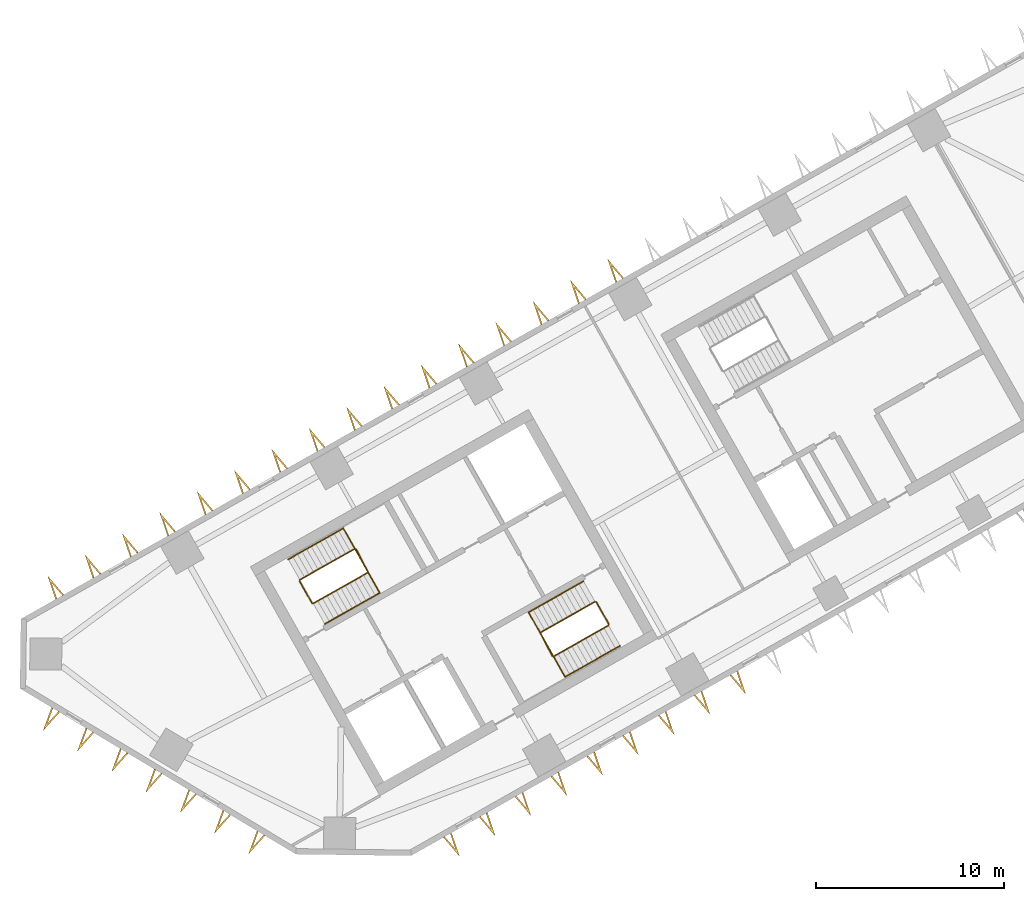
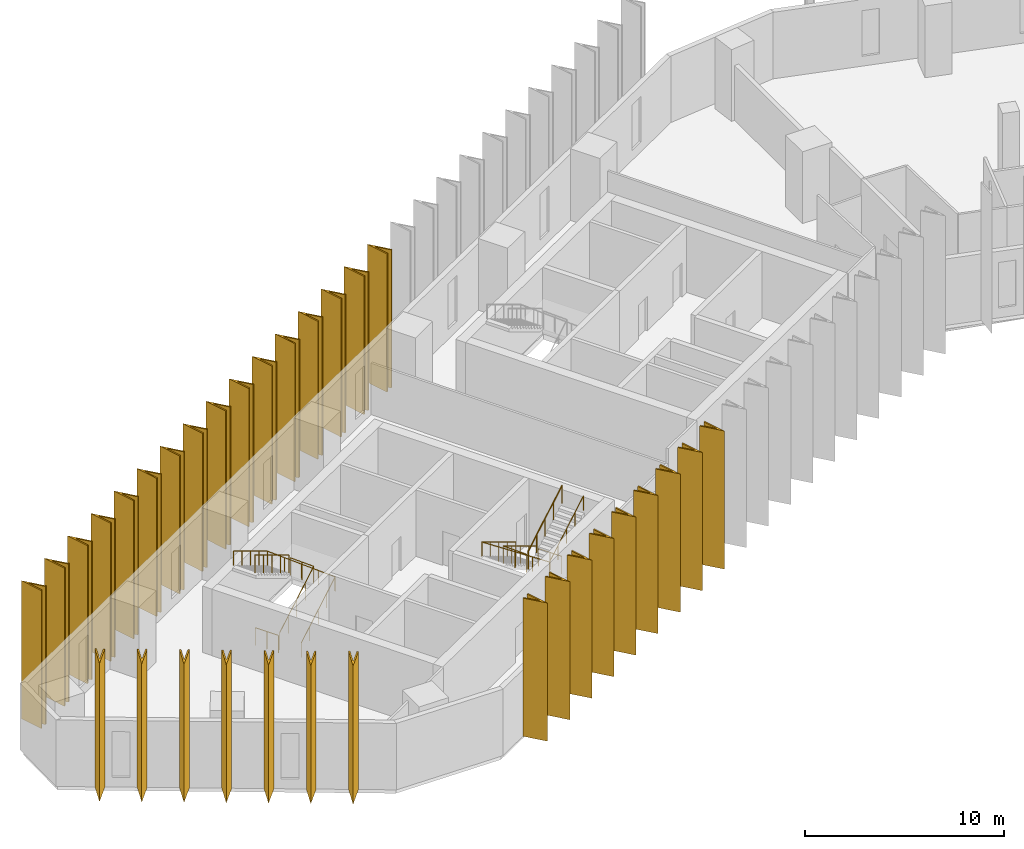
# One storey, part 9 of 11: 32 shading devices, 8 railings.
"""IFC4 building model written with IfcOpenShell, lengths in metres."""

from ifc_helpers import new_model, si_unit, direction, frame, origin, origin_2d, place, context, subcontext, project, spatial, polyline, circle, outline, extrude, material, type_object, element, save


model = new_model("IFC4")

# Units and contexts
model_context = context("Model", 3, precision=1e-05, world=origin(), true_north=direction((0.0, 1.0)))
body_context = subcontext(model_context, "Body", "Model", "MODEL_VIEW")
ifc_project = project(units=[si_unit("LENGTHUNIT", "METRE"), si_unit("AREAUNIT", "SQUARE_METRE"), si_unit("VOLUMEUNIT", "CUBIC_METRE"), si_unit("PLANEANGLEUNIT", "RADIAN"), si_unit("MASSUNIT", "GRAM", prefix="KILO")], contexts=[model_context])

# Site, building, storey
site_placement = place(None, origin())
site = spatial("IfcSite", under=ifc_project, at=site_placement, CompositionType="ELEMENT")
building_placement = place(site_placement, origin())
building = spatial("IfcBuilding", under=site, at=building_placement, Name="Binnacle Exchange Tower", CompositionType="ELEMENT")
storey_placement = place(building_placement, frame((0.0, 0.0, 105.89990234375)))
storey = spatial("IfcBuildingStorey", under=building, at=storey_placement, Name="L21", CompositionType="ELEMENT", Elevation=105.89990234375)

# Railings
ifc_material_1 = material(Name="Steel guard rail", Category="steel")
railing_type_1 = type_object("IfcRailingType", Name="STAIR GUARD 1100", PredefinedType="GUARDRAIL", material=ifc_material_1)
railing_1_placement = place(storey_placement, frame((-43.26171875, 39.71728515625, 0.16943359375)))
element("IfcRailing", 1, at=railing_1_placement, inside=storey, type_object=railing_type_1, Name="L21 STA1 stair guard 1", PredefinedType="GUARDRAIL", context=body_context, shape_type="SweptSolid", body=[
    extrude(circle(Radius=0.02392578125, at=origin_2d()), frame((0.0, 0.0, 1.076171875), z_axis=(0.744867460262, 0.421436531824, 0.517265614832), x_axis=(-0.492433119026, 0.870350287693, 0.0)), (0.0, 0.0, 1.0), 3.926025390625),
    extrude(circle(Radius=0.02392578125, at=origin_2d()), frame((2.92431640625, 1.654541015625, 3.10693359375), z_axis=(-0.460963092712, 0.887419307406, 0.0), x_axis=(-0.887419307406, -0.460963092712, 0.0)), (0.0, 0.0, 1.0), 1.40087890625),
    extrude(circle(Radius=0.02099609375, at=origin_2d()), origin(), (0.0, 0.0, 1.0), 1.052001953125),
    extrude(circle(Radius=0.02099609375, at=origin_2d()), frame((0.73095703125, 0.41357421875, 0.5078125)), (0.0, 0.0, 1.0), 1.052001953125),
    extrude(circle(Radius=0.02099609375, at=origin_2d()), frame((1.462158203125, 0.8271484375, 1.015380859375)), (0.0, 0.0, 1.0), 1.052001953125),
    extrude(circle(Radius=0.02099609375, at=origin_2d()), frame((2.193359375, 1.240966796875, 1.52294921875)), (0.0, 0.0, 1.0), 1.052001953125),
    extrude(circle(Radius=0.02099609375, at=origin_2d()), frame((2.92431640625, 1.654541015625, 2.03076171875)), (0.0, 0.0, 1.0), 1.052001953125),
    extrude(circle(Radius=0.02099609375, at=origin_2d()), frame((2.6015625, 2.276123046875, 2.03076171875)), (0.0, 0.0, 1.0), 1.052001953125),
    extrude(circle(Radius=0.02099609375, at=origin_2d()), frame((2.278564453125, 2.897705078125, 2.03076171875)), (0.0, 0.0, 1.0), 1.052001953125),
])
railing_2_placement = place(storey_placement, frame((-41.05126953125, 42.6337890625, 2.369384765625)))
element("IfcRailing", 2, at=railing_2_placement, inside=storey, type_object=railing_type_1, Name="L21 STA1 stair guard 2", PredefinedType="GUARDRAIL", context=body_context, shape_type="SweptSolid", body=[
    extrude(circle(Radius=0.02392578125, at=origin_2d()), frame((0.0, 0.0, 1.076171875), z_axis=(-0.744895141965, -0.421417011194, 0.517241655469), x_axis=(0.49240197835, -0.870367905955, 0.0)), (0.0, 0.0, 1.0), 3.926025390625),
    extrude(circle(Radius=0.02099609375, at=origin_2d()), origin(), (0.0, 0.0, 1.0), 1.052001953125),
    extrude(circle(Radius=0.02099609375, at=origin_2d()), frame((-0.731201171875, -0.41357421875, 0.5078125)), (0.0, 0.0, 1.0), 1.052001953125),
    extrude(circle(Radius=0.02099609375, at=origin_2d()), frame((-1.46240234375, -0.8271484375, 1.015380859375)), (0.0, 0.0, 1.0), 1.052001953125),
    extrude(circle(Radius=0.02099609375, at=origin_2d()), frame((-2.193359375, -1.240966796875, 1.52294921875)), (0.0, 0.0, 1.0), 1.052001953125),
    extrude(circle(Radius=0.02099609375, at=origin_2d()), frame((-2.924560546875, -1.654541015625, 2.03076171875)), (0.0, 0.0, 1.0), 1.052001953125),
])
railing_3_placement = place(storey_placement, frame((-43.329833984375, 39.736328125, 0.0)))
element("IfcRailing", 3, at=railing_3_placement, inside=storey, type_object=railing_type_1, Name="L21 STA1 stair guard 3", PredefinedType="GUARDRAIL", context=body_context, shape_type="SweptSolid", body=[
    extrude(circle(Radius=0.02392578125, at=origin_2d()), frame((0.0, 0.0, 1.076171875), z_axis=(-0.4924922531, 0.870316827734, 0.0), x_axis=(-0.870316827734, -0.4924922531, 0.0)), (0.0, 0.0, 1.0), 1.349853515625),
    extrude(circle(Radius=0.02099609375, at=origin_2d()), origin(), (0.0, 0.0, 1.0), 1.052001953125),
    extrude(circle(Radius=0.02099609375, at=origin_2d()), frame((-0.33251953125, 0.58740234375, 0.0)), (0.0, 0.0, 1.0), 1.052001953125),
    extrude(circle(Radius=0.02099609375, at=origin_2d()), frame((-0.664794921875, 1.1748046875, 0.0)), (0.0, 0.0, 1.0), 1.052001953125),
])
railing_4_placement = place(storey_placement, frame((-28.265380859375, 39.814453125, 0.16943359375)))
element("IfcRailing", 4, at=railing_4_placement, inside=storey, type_object=railing_type_1, Name="L21 STA2 stair guard 1", PredefinedType="GUARDRAIL", context=body_context, shape_type="SweptSolid", body=[
    extrude(circle(Radius=0.02392578125, at=origin_2d()), frame((0.0, 0.0, 1.076171875), z_axis=(-0.744895141965, -0.421417011194, 0.517241655469), x_axis=(0.49240197835, -0.870367905955, 0.0)), (0.0, 0.0, 1.0), 3.926025390625),
    extrude(circle(Radius=0.02392578125, at=origin_2d()), frame((-2.924560546875, -1.654541015625, 3.10693359375), z_axis=(0.461100321709, -0.887348011391, 0.0), x_axis=(0.887348011391, 0.461100321709, 0.0)), (0.0, 0.0, 1.0), 1.40087890625),
    extrude(circle(Radius=0.02099609375, at=origin_2d()), origin(), (0.0, 0.0, 1.0), 1.052001953125),
    extrude(circle(Radius=0.02099609375, at=origin_2d()), frame((-0.731201171875, -0.41357421875, 0.5078125)), (0.0, 0.0, 1.0), 1.052001953125),
    extrude(circle(Radius=0.02099609375, at=origin_2d()), frame((-1.46240234375, -0.8271484375, 1.015380859375)), (0.0, 0.0, 1.0), 1.052001953125),
    extrude(circle(Radius=0.02099609375, at=origin_2d()), frame((-2.193359375, -1.240966796875, 1.52294921875)), (0.0, 0.0, 1.0), 1.052001953125),
    extrude(circle(Radius=0.02099609375, at=origin_2d()), frame((-2.924560546875, -1.654541015625, 2.03076171875)), (0.0, 0.0, 1.0), 1.052001953125),
    extrude(circle(Radius=0.02099609375, at=origin_2d()), frame((-2.6015625, -2.276123046875, 2.03076171875)), (0.0, 0.0, 1.0), 1.052001953125),
    extrude(circle(Radius=0.02099609375, at=origin_2d()), frame((-2.278564453125, -2.897705078125, 2.03076171875)), (0.0, 0.0, 1.0), 1.052001953125),
])
railing_5_placement = place(storey_placement, frame((-30.475830078125, 36.89794921875, 2.369384765625)))
element("IfcRailing", 5, at=railing_5_placement, inside=storey, type_object=railing_type_1, Name="L21 STA2 stair guard 2", PredefinedType="GUARDRAIL", context=body_context, shape_type="SweptSolid", body=[
    extrude(circle(Radius=0.02392578125, at=origin_2d()), frame((0.0, 0.0, 1.076171875), z_axis=(0.744867460262, 0.421436531824, 0.517265614832), x_axis=(-0.492433119026, 0.870350287693, 0.0)), (0.0, 0.0, 1.0), 3.926025390625),
    extrude(circle(Radius=0.02099609375, at=origin_2d()), origin(), (0.0, 0.0, 1.0), 1.052001953125),
    extrude(circle(Radius=0.02099609375, at=origin_2d()), frame((0.73095703125, 0.41357421875, 0.5078125)), (0.0, 0.0, 1.0), 1.052001953125),
    extrude(circle(Radius=0.02099609375, at=origin_2d()), frame((1.462158203125, 0.8271484375, 1.015380859375)), (0.0, 0.0, 1.0), 1.052001953125),
    extrude(circle(Radius=0.02099609375, at=origin_2d()), frame((2.193359375, 1.240966796875, 1.52294921875)), (0.0, 0.0, 1.0), 1.052001953125),
    extrude(circle(Radius=0.02099609375, at=origin_2d()), frame((2.92431640625, 1.654541015625, 2.03076171875)), (0.0, 0.0, 1.0), 1.052001953125),
])
railing_6_placement = place(storey_placement, frame((-28.197265625, 39.795654296875, 0.0)))
element("IfcRailing", 6, at=railing_6_placement, inside=storey, type_object=railing_type_1, Name="L21 STA2 stair guard 3", PredefinedType="GUARDRAIL", context=body_context, shape_type="SweptSolid", body=[
    extrude(circle(Radius=0.02392578125, at=origin_2d()), frame((0.0, 0.0, 1.076171875), z_axis=(0.49241474071, -0.870360685654, 0.0), x_axis=(0.870360685654, 0.49241474071, 0.0)), (0.0, 0.0, 1.0), 1.35009765625),
    extrude(circle(Radius=0.02099609375, at=origin_2d()), origin(), (0.0, 0.0, 1.0), 1.052001953125),
    extrude(circle(Radius=0.02099609375, at=origin_2d()), frame((0.33251953125, -0.58740234375, 0.0)), (0.0, 0.0, 1.0), 1.052001953125),
    extrude(circle(Radius=0.02099609375, at=origin_2d()), frame((0.664794921875, -1.175048828125, 0.0)), (0.0, 0.0, 1.0), 1.052001953125),
])
ifc_material_2 = material(Name="Steel handrail", Category="steel")
railing_type_2 = type_object("IfcRailingType", Name="STAIR HANDRAIL 900", PredefinedType="HANDRAIL", material=ifc_material_2)
railing_7_placement = place(storey_placement, frame((-42.646240234375, 38.62939453125, 0.16943359375)))
element("IfcRailing", 7, at=railing_7_placement, inside=storey, type_object=railing_type_2, Name="L21 STA1 stair handrail 1", PredefinedType="HANDRAIL", context=body_context, shape_type="SweptSolid", body=[
    extrude(circle(Radius=0.02392578125, at=origin_2d()), frame((0.0, 0.0, 0.8759765625), z_axis=(0.744867460262, 0.421436531824, 0.517265614832), x_axis=(-0.492433119026, 0.870350287693, 0.0)), (0.0, 0.0, 1.0), 3.926025390625),
    extrude(circle(Radius=0.02392578125, at=origin_2d()), frame((2.92431640625, 1.654541015625, 2.90673828125), z_axis=(-0.491962556146, 0.869564041126, 0.04279277663), x_axis=(-0.870361318571, -0.492413622004, 0.0)), (0.0, 0.0, 1.0), 3.95361328125),
    extrude(circle(Radius=0.02392578125, at=origin_2d()), frame((0.979248046875, 5.092529296875, 3.07568359375), z_axis=(-0.744867460262, -0.421436531824, 0.517265614832), x_axis=(0.492433119026, -0.870350287693, 0.0)), (0.0, 0.0, 1.0), 3.926025390625),
    extrude(circle(Radius=0.02099609375, at=origin_2d()), origin(), (0.0, 0.0, 1.0), 0.851806640625),
    extrude(circle(Radius=0.02099609375, at=origin_2d()), frame((0.73095703125, 0.41357421875, 0.5078125)), (0.0, 0.0, 1.0), 0.851806640625),
    extrude(circle(Radius=0.02099609375, at=origin_2d()), frame((1.462158203125, 0.8271484375, 1.015380859375)), (0.0, 0.0, 1.0), 0.851806640625),
    extrude(circle(Radius=0.02099609375, at=origin_2d()), frame((2.193359375, 1.240966796875, 1.52294921875)), (0.0, 0.0, 1.0), 0.851806640625),
    extrude(circle(Radius=0.02099609375, at=origin_2d()), frame((2.92431640625, 1.654541015625, 2.03076171875)), (0.0, 0.0, 1.0), 0.851806640625),
    extrude(circle(Radius=0.02099609375, at=origin_2d()), frame((2.43798828125, 2.51416015625, 2.072998046875)), (0.0, 0.0, 1.0), 0.851806640625),
    extrude(circle(Radius=0.02099609375, at=origin_2d()), frame((1.95166015625, 3.37353515625, 2.115234375)), (0.0, 0.0, 1.0), 0.851806640625),
    extrude(circle(Radius=0.02099609375, at=origin_2d()), frame((1.465576171875, 4.23291015625, 2.15771484375)), (0.0, 0.0, 1.0), 0.851806640625),
    extrude(circle(Radius=0.02099609375, at=origin_2d()), frame((0.979248046875, 5.092529296875, 2.199951171875)), (0.0, 0.0, 1.0), 0.851806640625),
    extrude(circle(Radius=0.02099609375, at=origin_2d()), frame((0.248046875, 4.678955078125, 2.70751953125)), (0.0, 0.0, 1.0), 0.851806640625),
    extrude(circle(Radius=0.02099609375, at=origin_2d()), frame((-0.48291015625, 4.26513671875, 3.21533203125)), (0.0, 0.0, 1.0), 0.851806640625),
    extrude(circle(Radius=0.02099609375, at=origin_2d()), frame((-1.2138671875, 3.8515625, 3.72314453125)), (0.0, 0.0, 1.0), 0.851806640625),
    extrude(circle(Radius=0.02099609375, at=origin_2d()), frame((-1.945068359375, 3.43798828125, 4.230712890625)), (0.0, 0.0, 1.0), 0.851806640625),
])
railing_8_placement = place(storey_placement, frame((-28.880859375, 40.90234375, 0.16943359375)))
element("IfcRailing", 8, at=railing_8_placement, inside=storey, type_object=railing_type_2, Name="L21 STA2 stair handrail 1", PredefinedType="HANDRAIL", context=body_context, shape_type="SweptSolid", body=[
    extrude(circle(Radius=0.02392578125, at=origin_2d()), frame((0.0, 0.0, 0.8759765625), z_axis=(-0.744895141965, -0.421417011194, 0.517241655469), x_axis=(0.49240197835, -0.870367905955, 0.0)), (0.0, 0.0, 1.0), 3.926025390625),
    extrude(circle(Radius=0.02392578125, at=origin_2d()), frame((-2.924560546875, -1.654541015625, 2.90673828125), z_axis=(0.491988973567, -0.869548981648, 0.042795074518), x_axis=(0.87034633103, 0.492440112159, 0.0)), (0.0, 0.0, 1.0), 3.953369140625),
    extrude(circle(Radius=0.02392578125, at=origin_2d()), frame((-0.9794921875, -5.09228515625, 3.07568359375), z_axis=(0.744895141965, 0.421417011194, 0.517241655469), x_axis=(-0.49240197835, 0.870367905955, 0.0)), (0.0, 0.0, 1.0), 3.926025390625),
    extrude(circle(Radius=0.02099609375, at=origin_2d()), origin(), (0.0, 0.0, 1.0), 0.851806640625),
    extrude(circle(Radius=0.02099609375, at=origin_2d()), frame((-0.731201171875, -0.41357421875, 0.5078125)), (0.0, 0.0, 1.0), 0.851806640625),
    extrude(circle(Radius=0.02099609375, at=origin_2d()), frame((-1.46240234375, -0.8271484375, 1.015380859375)), (0.0, 0.0, 1.0), 0.851806640625),
    extrude(circle(Radius=0.02099609375, at=origin_2d()), frame((-2.193359375, -1.240966796875, 1.52294921875)), (0.0, 0.0, 1.0), 0.851806640625),
    extrude(circle(Radius=0.02099609375, at=origin_2d()), frame((-2.924560546875, -1.654541015625, 2.03076171875)), (0.0, 0.0, 1.0), 0.851806640625),
    extrude(circle(Radius=0.02099609375, at=origin_2d()), frame((-2.438232421875, -2.513916015625, 2.072998046875)), (0.0, 0.0, 1.0), 0.851806640625),
    extrude(circle(Radius=0.02099609375, at=origin_2d()), frame((-1.9521484375, -3.37353515625, 2.115234375)), (0.0, 0.0, 1.0), 0.851806640625),
    extrude(circle(Radius=0.02099609375, at=origin_2d()), frame((-1.4658203125, -4.23291015625, 2.15771484375)), (0.0, 0.0, 1.0), 0.851806640625),
    extrude(circle(Radius=0.02099609375, at=origin_2d()), frame((-0.9794921875, -5.09228515625, 2.199951171875)), (0.0, 0.0, 1.0), 0.851806640625),
    extrude(circle(Radius=0.02099609375, at=origin_2d()), frame((-0.248291015625, -4.6787109375, 2.70751953125)), (0.0, 0.0, 1.0), 0.851806640625),
    extrude(circle(Radius=0.02099609375, at=origin_2d()), frame((0.48291015625, -4.26513671875, 3.21533203125)), (0.0, 0.0, 1.0), 0.851806640625),
    extrude(circle(Radius=0.02099609375, at=origin_2d()), frame((1.2138671875, -3.851318359375, 3.72314453125)), (0.0, 0.0, 1.0), 0.851806640625),
    extrude(circle(Radius=0.02099609375, at=origin_2d()), frame((1.945068359375, -3.437744140625, 4.230712890625)), (0.0, 0.0, 1.0), 0.851806640625),
])

# Shading devices
ifc_material_3 = material(Name="Bronze aluminium cladding", Category="aluminium")
shading_device_type = type_object("IfcShadingDeviceType", Name="V FIN 1300 DEEP x 8480 HIGH", PredefinedType="USERDEFINED", material=ifc_material_3)
shading_device_1_placement = place(storey_placement, origin())
element("IfcShadingDevice", 9, at=shading_device_1_placement, inside=storey, type_object=shading_device_type, Name="V fin FN-F03-12 L21", ObjectType="FIN", PredefinedType="USERDEFINED", context=body_context, shape_type="SweptSolid", body=[
    extrude(outline(polyline([(-26.7412109375, 57.04296875), (-27.59912109375, 58.05126953125), (-27.176513671875, 56.796630859375), (-27.10546875, 56.8369140625), (-27.390380859375, 57.6826171875), (-26.81201171875, 57.002685546875), (-26.7412109375, 57.04296875)])), origin(), (0.0, 0.0, 1.0), 8.47998046875),
])
shading_device_2_placement = place(storey_placement, origin())
element("IfcShadingDevice", 10, at=shading_device_2_placement, inside=storey, type_object=shading_device_type, Name="V fin FN-F03-13 L21", ObjectType="FIN", PredefinedType="USERDEFINED", context=body_context, shape_type="SweptSolid", body=[
    extrude(outline(polyline([(-28.727783203125, 55.9189453125), (-29.58544921875, 56.92724609375), (-29.162841796875, 55.672607421875), (-29.092041015625, 55.712890625), (-29.376708984375, 56.55859375), (-28.798583984375, 55.87890625), (-28.727783203125, 55.9189453125)])), origin(), (0.0, 0.0, 1.0), 8.47998046875),
])
shading_device_3_placement = place(storey_placement, origin())
element("IfcShadingDevice", 11, at=shading_device_3_placement, inside=storey, type_object=shading_device_type, Name="V fin FN-F03-14 L21", ObjectType="FIN", PredefinedType="USERDEFINED", context=body_context, shape_type="SweptSolid", body=[
    extrude(outline(polyline([(-30.71435546875, 54.794921875), (-31.572021484375, 55.803466796875), (-31.1494140625, 54.548828125), (-31.07861328125, 54.5888671875), (-31.36328125, 55.434814453125), (-30.78515625, 54.7548828125), (-30.71435546875, 54.794921875)])), origin(), (0.0, 0.0, 1.0), 8.47998046875),
])
shading_device_4_placement = place(storey_placement, origin())
element("IfcShadingDevice", 12, at=shading_device_4_placement, inside=storey, type_object=shading_device_type, Name="V fin FN-F03-15 L21", ObjectType="FIN", PredefinedType="USERDEFINED", context=body_context, shape_type="SweptSolid", body=[
    extrude(outline(polyline([(-32.70068359375, 53.6708984375), (-33.55859375, 54.679443359375), (-33.135986328125, 53.4248046875), (-33.065185546875, 53.46484375), (-33.349853515625, 54.310791015625), (-32.771728515625, 53.630859375), (-32.70068359375, 53.6708984375)])), origin(), (0.0, 0.0, 1.0), 8.47998046875),
])
shading_device_5_placement = place(storey_placement, origin())
element("IfcShadingDevice", 13, at=shading_device_5_placement, inside=storey, type_object=shading_device_type, Name="V fin FN-F03-16 L21", ObjectType="FIN", PredefinedType="USERDEFINED", context=body_context, shape_type="SweptSolid", body=[
    extrude(outline(polyline([(-34.687255859375, 52.547119140625), (-35.545166015625, 53.555419921875), (-35.12255859375, 52.30078125), (-35.051513671875, 52.341064453125), (-35.33642578125, 53.186767578125), (-34.75830078125, 52.507080078125), (-34.687255859375, 52.547119140625)])), origin(), (0.0, 0.0, 1.0), 8.47998046875),
])
shading_device_6_placement = place(storey_placement, origin())
element("IfcShadingDevice", 14, at=shading_device_6_placement, inside=storey, type_object=shading_device_type, Name="V fin FN-F03-17 L21", ObjectType="FIN", PredefinedType="USERDEFINED", context=body_context, shape_type="SweptSolid", body=[
    extrude(outline(polyline([(-36.673828125, 51.423095703125), (-37.53173828125, 52.431640625), (-37.109130859375, 51.177001953125), (-37.0380859375, 51.217041015625), (-37.322998046875, 52.06298828125), (-36.744873046875, 51.383056640625), (-36.673828125, 51.423095703125)])), origin(), (0.0, 0.0, 1.0), 8.47998046875),
])
shading_device_7_placement = place(storey_placement, origin())
element("IfcShadingDevice", 15, at=shading_device_7_placement, inside=storey, type_object=shading_device_type, Name="V fin FN-F03-18 L21", ObjectType="FIN", PredefinedType="USERDEFINED", context=body_context, shape_type="SweptSolid", body=[
    extrude(outline(polyline([(-38.660400390625, 50.29931640625), (-39.518310546875, 51.3076171875), (-39.095703125, 50.052978515625), (-39.02490234375, 50.093017578125), (-39.3095703125, 50.93896484375), (-38.7314453125, 50.259033203125), (-38.660400390625, 50.29931640625)])), origin(), (0.0, 0.0, 1.0), 8.47998046875),
])
shading_device_8_placement = place(storey_placement, origin())
element("IfcShadingDevice", 16, at=shading_device_8_placement, inside=storey, type_object=shading_device_type, Name="V fin FN-F03-19 L21", ObjectType="FIN", PredefinedType="USERDEFINED", context=body_context, shape_type="SweptSolid", body=[
    extrude(outline(polyline([(-40.64697265625, 49.17529296875), (-41.5048828125, 50.18359375), (-41.082275390625, 48.92919921875), (-41.01123046875, 48.96923828125), (-41.296142578125, 49.81494140625), (-40.718017578125, 49.13525390625), (-40.64697265625, 49.17529296875)])), origin(), (0.0, 0.0, 1.0), 8.47998046875),
])
shading_device_9_placement = place(storey_placement, origin())
element("IfcShadingDevice", 17, at=shading_device_9_placement, inside=storey, type_object=shading_device_type, Name="V fin FN-F03-20 L21", ObjectType="FIN", PredefinedType="USERDEFINED", context=body_context, shape_type="SweptSolid", body=[
    extrude(outline(polyline([(-42.633544921875, 48.05126953125), (-43.491455078125, 49.059814453125), (-43.06884765625, 47.80517578125), (-42.997802734375, 47.84521484375), (-43.28271484375, 48.69091796875), (-42.70458984375, 48.01123046875), (-42.633544921875, 48.05126953125)])), origin(), (0.0, 0.0, 1.0), 8.47998046875),
])
shading_device_10_placement = place(storey_placement, origin())
element("IfcShadingDevice", 18, at=shading_device_10_placement, inside=storey, type_object=shading_device_type, Name="V fin FN-F03-21 L21", ObjectType="FIN", PredefinedType="USERDEFINED", context=body_context, shape_type="SweptSolid", body=[
    extrude(outline(polyline([(-44.6201171875, 46.927490234375), (-45.47802734375, 47.935791015625), (-45.055419921875, 46.68115234375), (-44.984619140625, 46.72119140625), (-45.269287109375, 47.567138671875), (-44.691162109375, 46.88720703125), (-44.6201171875, 46.927490234375)])), origin(), (0.0, 0.0, 1.0), 8.47998046875),
])
shading_device_11_placement = place(storey_placement, origin())
element("IfcShadingDevice", 19, at=shading_device_11_placement, inside=storey, type_object=shading_device_type, Name="V fin FN-F03-22 L21", ObjectType="FIN", PredefinedType="USERDEFINED", context=body_context, shape_type="SweptSolid", body=[
    extrude(outline(polyline([(-46.606689453125, 45.803466796875), (-47.464599609375, 46.81201171875), (-47.0419921875, 45.557373046875), (-46.970947265625, 45.597412109375), (-47.255859375, 46.443115234375), (-46.677490234375, 45.763427734375), (-46.606689453125, 45.803466796875)])), origin(), (0.0, 0.0, 1.0), 8.47998046875),
])
shading_device_12_placement = place(storey_placement, origin())
element("IfcShadingDevice", 20, at=shading_device_12_placement, inside=storey, type_object=shading_device_type, Name="V fin FN-F03-23 L21", ObjectType="FIN", PredefinedType="USERDEFINED", context=body_context, shape_type="SweptSolid", body=[
    extrude(outline(polyline([(-48.59326171875, 44.679443359375), (-49.451171875, 45.68798828125), (-49.028564453125, 44.433349609375), (-48.95751953125, 44.473388671875), (-49.242431640625, 45.319091796875), (-48.664306640625, 44.639404296875), (-48.59326171875, 44.679443359375)])), origin(), (0.0, 0.0, 1.0), 8.47998046875),
])
shading_device_13_placement = place(storey_placement, origin())
element("IfcShadingDevice", 21, at=shading_device_13_placement, inside=storey, type_object=shading_device_type, Name="V fin FN-F03-24 L21", ObjectType="FIN", PredefinedType="USERDEFINED", context=body_context, shape_type="SweptSolid", body=[
    extrude(outline(polyline([(-50.579833984375, 43.5556640625), (-51.4375, 44.56396484375), (-51.014892578125, 43.309326171875), (-50.944091796875, 43.349609375), (-51.22900390625, 44.1953125), (-50.650634765625, 43.515380859375), (-50.579833984375, 43.5556640625)])), origin(), (0.0, 0.0, 1.0), 8.47998046875),
])
shading_device_14_placement = place(storey_placement, origin())
element("IfcShadingDevice", 22, at=shading_device_14_placement, inside=storey, type_object=shading_device_type, Name="V fin FN-F03-25 L21", ObjectType="FIN", PredefinedType="USERDEFINED", context=body_context, shape_type="SweptSolid", body=[
    extrude(outline(polyline([(-52.56640625, 42.431640625), (-53.42431640625, 43.440185546875), (-53.001708984375, 42.185546875), (-52.9306640625, 42.2255859375), (-53.215576171875, 43.0712890625), (-52.63720703125, 42.3916015625), (-52.56640625, 42.431640625)])), origin(), (0.0, 0.0, 1.0), 8.47998046875),
])
shading_device_15_placement = place(storey_placement, origin())
element("IfcShadingDevice", 23, at=shading_device_15_placement, inside=storey, type_object=shading_device_type, Name="V fin FN-F03-26 L21", ObjectType="FIN", PredefinedType="USERDEFINED", context=body_context, shape_type="SweptSolid", body=[
    extrude(outline(polyline([(-54.552978515625, 41.3076171875), (-55.410888671875, 42.316162109375), (-54.98828125, 41.0615234375), (-54.917236328125, 41.1015625), (-55.2021484375, 41.947509765625), (-54.623779296875, 41.267578125), (-54.552978515625, 41.3076171875)])), origin(), (0.0, 0.0, 1.0), 8.47998046875),
])
shading_device_16_placement = place(storey_placement, origin())
element("IfcShadingDevice", 24, at=shading_device_16_placement, inside=storey, type_object=shading_device_type, Name="V fin FN-F03-27 L21", ObjectType="FIN", PredefinedType="USERDEFINED", context=body_context, shape_type="SweptSolid", body=[
    extrude(outline(polyline([(-56.53955078125, 40.183837890625), (-57.397216796875, 41.192138671875), (-56.974609375, 39.9375), (-56.90380859375, 39.977783203125), (-57.188720703125, 40.823486328125), (-56.6103515625, 40.143798828125), (-56.53955078125, 40.183837890625)])), origin(), (0.0, 0.0, 1.0), 8.47998046875),
])
shading_device_17_placement = place(storey_placement, origin())
element("IfcShadingDevice", 25, at=shading_device_17_placement, inside=storey, type_object=shading_device_type, Name="V fin FN-F05-01 L21", ObjectType="FIN", PredefinedType="USERDEFINED", context=body_context, shape_type="SweptSolid", body=[
    extrude(outline(polyline([(-57.18603515625, 34.185791015625), (-57.641357421875, 32.94287109375), (-56.757568359375, 33.92822265625), (-56.827392578125, 33.97021484375), (-57.423095703125, 33.305908203125), (-57.1162109375, 34.143798828125), (-57.18603515625, 34.185791015625)])), origin(), (0.0, 0.0, 1.0), 8.47998046875),
])
shading_device_18_placement = place(storey_placement, origin())
element("IfcShadingDevice", 26, at=shading_device_18_placement, inside=storey, type_object=shading_device_type, Name="V fin FN-F05-02 L21", ObjectType="FIN", PredefinedType="USERDEFINED", context=body_context, shape_type="SweptSolid", body=[
    extrude(outline(polyline([(-55.364501953125, 33.09130859375), (-55.81982421875, 31.848388671875), (-54.93603515625, 32.833740234375), (-55.005859375, 32.875732421875), (-55.601806640625, 32.21142578125), (-55.294921875, 33.04931640625), (-55.364501953125, 33.09130859375)])), origin(), (0.0, 0.0, 1.0), 8.47998046875),
])
shading_device_19_placement = place(storey_placement, origin())
element("IfcShadingDevice", 27, at=shading_device_19_placement, inside=storey, type_object=shading_device_type, Name="V fin FN-F05-03 L21", ObjectType="FIN", PredefinedType="USERDEFINED", context=body_context, shape_type="SweptSolid", body=[
    extrude(outline(polyline([(-53.543212890625, 31.9970703125), (-53.998291015625, 30.75390625), (-53.114501953125, 31.739501953125), (-53.184326171875, 31.781494140625), (-53.7802734375, 31.116943359375), (-53.473388671875, 31.955078125), (-53.543212890625, 31.9970703125)])), origin(), (0.0, 0.0, 1.0), 8.47998046875),
])
shading_device_20_placement = place(storey_placement, origin())
element("IfcShadingDevice", 28, at=shading_device_20_placement, inside=storey, type_object=shading_device_type, Name="V fin FN-F05-04 L21", ObjectType="FIN", PredefinedType="USERDEFINED", context=body_context, shape_type="SweptSolid", body=[
    extrude(outline(polyline([(-51.7216796875, 30.902587890625), (-52.1767578125, 29.659423828125), (-51.29296875, 30.64501953125), (-51.36279296875, 30.68701171875), (-51.958740234375, 30.0224609375), (-51.65185546875, 30.860595703125), (-51.7216796875, 30.902587890625)])), origin(), (0.0, 0.0, 1.0), 8.47998046875),
])
shading_device_21_placement = place(storey_placement, origin())
element("IfcShadingDevice", 29, at=shading_device_21_placement, inside=storey, type_object=shading_device_type, Name="V fin FN-F05-05 L21", ObjectType="FIN", PredefinedType="USERDEFINED", context=body_context, shape_type="SweptSolid", body=[
    extrude(outline(polyline([(-49.900146484375, 29.80810546875), (-50.35546875, 28.56494140625), (-49.4716796875, 29.55029296875), (-49.54150390625, 29.59228515625), (-50.13720703125, 28.927978515625), (-49.830322265625, 29.76611328125), (-49.900146484375, 29.80810546875)])), origin(), (0.0, 0.0, 1.0), 8.47998046875),
])
shading_device_22_placement = place(storey_placement, origin())
element("IfcShadingDevice", 30, at=shading_device_22_placement, inside=storey, type_object=shading_device_type, Name="V fin FN-F05-06 L21", ObjectType="FIN", PredefinedType="USERDEFINED", context=body_context, shape_type="SweptSolid", body=[
    extrude(outline(polyline([(-48.07861328125, 28.713623046875), (-48.533935546875, 27.470458984375), (-47.650146484375, 28.4560546875), (-47.719970703125, 28.498046875), (-48.31591796875, 27.83349609375), (-48.0087890625, 28.671630859375), (-48.07861328125, 28.713623046875)])), origin(), (0.0, 0.0, 1.0), 8.47998046875),
])
shading_device_23_placement = place(storey_placement, origin())
element("IfcShadingDevice", 31, at=shading_device_23_placement, inside=storey, type_object=shading_device_type, Name="V fin FN-F05-07 L21", ObjectType="FIN", PredefinedType="USERDEFINED", context=body_context, shape_type="SweptSolid", body=[
    extrude(outline(polyline([(-46.257080078125, 27.619140625), (-46.71240234375, 26.3759765625), (-45.82861328125, 27.361572265625), (-45.8984375, 27.403564453125), (-46.494384765625, 26.739013671875), (-46.1875, 27.5771484375), (-46.257080078125, 27.619140625)])), origin(), (0.0, 0.0, 1.0), 8.47998046875),
])
shading_device_24_placement = place(storey_placement, origin())
element("IfcShadingDevice", 32, at=shading_device_24_placement, inside=storey, type_object=shading_device_type, Name="V fin FN-F07-01 L21", ObjectType="FIN", PredefinedType="USERDEFINED", context=body_context, shape_type="SweptSolid", body=[
    extrude(outline(polyline([(-36.336669921875, 27.269287109375), (-35.47900390625, 26.260986328125), (-35.901611328125, 27.515625), (-35.972412109375, 27.4755859375), (-35.6875, 26.629638671875), (-36.265869140625, 27.3095703125), (-36.336669921875, 27.269287109375)])), origin(), (0.0, 0.0, 1.0), 8.47998046875),
])
shading_device_25_placement = place(storey_placement, origin())
element("IfcShadingDevice", 33, at=shading_device_25_placement, inside=storey, type_object=shading_device_type, Name="V fin FN-F07-02 L21", ObjectType="FIN", PredefinedType="USERDEFINED", context=body_context, shape_type="SweptSolid", body=[
    extrude(outline(polyline([(-34.431640625, 28.34716796875), (-33.573974609375, 27.338623046875), (-33.99658203125, 28.59326171875), (-34.0673828125, 28.55322265625), (-33.78271484375, 27.70751953125), (-34.36083984375, 28.38720703125), (-34.431640625, 28.34716796875)])), origin(), (0.0, 0.0, 1.0), 8.47998046875),
])
shading_device_26_placement = place(storey_placement, origin())
element("IfcShadingDevice", 34, at=shading_device_26_placement, inside=storey, type_object=shading_device_type, Name="V fin FN-F07-03 L21", ObjectType="FIN", PredefinedType="USERDEFINED", context=body_context, shape_type="SweptSolid", body=[
    extrude(outline(polyline([(-32.52685546875, 29.4248046875), (-31.669189453125, 28.41650390625), (-32.091796875, 29.671142578125), (-32.16259765625, 29.631103515625), (-31.877685546875, 28.78515625), (-32.4560546875, 29.465087890625), (-32.52685546875, 29.4248046875)])), origin(), (0.0, 0.0, 1.0), 8.47998046875),
])
shading_device_27_placement = place(storey_placement, origin())
element("IfcShadingDevice", 35, at=shading_device_27_placement, inside=storey, type_object=shading_device_type, Name="V fin FN-F07-04 L21", ObjectType="FIN", PredefinedType="USERDEFINED", context=body_context, shape_type="SweptSolid", body=[
    extrude(outline(polyline([(-30.6220703125, 30.502685546875), (-29.76416015625, 29.494140625), (-30.186767578125, 30.748779296875), (-30.2578125, 30.708740234375), (-29.972900390625, 29.86279296875), (-30.551025390625, 30.542724609375), (-30.6220703125, 30.502685546875)])), origin(), (0.0, 0.0, 1.0), 8.47998046875),
])
shading_device_28_placement = place(storey_placement, origin())
element("IfcShadingDevice", 36, at=shading_device_28_placement, inside=storey, type_object=shading_device_type, Name="V fin FN-F07-05 L21", ObjectType="FIN", PredefinedType="USERDEFINED", context=body_context, shape_type="SweptSolid", body=[
    extrude(outline(polyline([(-28.717041015625, 31.580322265625), (-27.859375, 30.572021484375), (-28.281982421875, 31.826416015625), (-28.352783203125, 31.786376953125), (-28.068115234375, 30.940673828125), (-28.646240234375, 31.620361328125), (-28.717041015625, 31.580322265625)])), origin(), (0.0, 0.0, 1.0), 8.47998046875),
])
shading_device_29_placement = place(storey_placement, origin())
element("IfcShadingDevice", 37, at=shading_device_29_placement, inside=storey, type_object=shading_device_type, Name="V fin FN-F07-06 L21", ObjectType="FIN", PredefinedType="USERDEFINED", context=body_context, shape_type="SweptSolid", body=[
    extrude(outline(polyline([(-26.812255859375, 32.658203125), (-25.954345703125, 31.649658203125), (-26.376953125, 32.904296875), (-26.447998046875, 32.8642578125), (-26.1630859375, 32.018310546875), (-26.7412109375, 32.6982421875), (-26.812255859375, 32.658203125)])), origin(), (0.0, 0.0, 1.0), 8.47998046875),
])
shading_device_30_placement = place(storey_placement, origin())
element("IfcShadingDevice", 38, at=shading_device_30_placement, inside=storey, type_object=shading_device_type, Name="V fin FN-F07-07 L21", ObjectType="FIN", PredefinedType="USERDEFINED", context=body_context, shape_type="SweptSolid", body=[
    extrude(outline(polyline([(-24.9072265625, 33.73583984375), (-24.049560546875, 32.727294921875), (-24.47216796875, 33.98193359375), (-24.54296875, 33.94189453125), (-24.25830078125, 33.09619140625), (-24.83642578125, 33.77587890625), (-24.9072265625, 33.73583984375)])), origin(), (0.0, 0.0, 1.0), 8.47998046875),
])
shading_device_31_placement = place(storey_placement, origin())
element("IfcShadingDevice", 39, at=shading_device_31_placement, inside=storey, type_object=shading_device_type, Name="V fin FN-F07-08 L21", ObjectType="FIN", PredefinedType="USERDEFINED", context=body_context, shape_type="SweptSolid", body=[
    extrude(outline(polyline([(-23.00244140625, 34.8134765625), (-22.14453125, 33.80517578125), (-22.567138671875, 35.059814453125), (-22.63818359375, 35.01953125), (-22.353271484375, 34.173828125), (-22.931396484375, 34.853515625), (-23.00244140625, 34.8134765625)])), origin(), (0.0, 0.0, 1.0), 8.47998046875),
])
shading_device_32_placement = place(storey_placement, origin())
element("IfcShadingDevice", 40, at=shading_device_32_placement, inside=storey, type_object=shading_device_type, Name="V fin FN-F07-09 L21", ObjectType="FIN", PredefinedType="USERDEFINED", context=body_context, shape_type="SweptSolid", body=[
    extrude(outline(polyline([(-21.097412109375, 35.891357421875), (-20.23974609375, 34.8828125), (-20.662353515625, 36.137451171875), (-20.733154296875, 36.097412109375), (-20.448486328125, 35.251708984375), (-21.026611328125, 35.931396484375), (-21.097412109375, 35.891357421875)])), origin(), (0.0, 0.0, 1.0), 8.47998046875),
])

save(model, "model.ifc")
